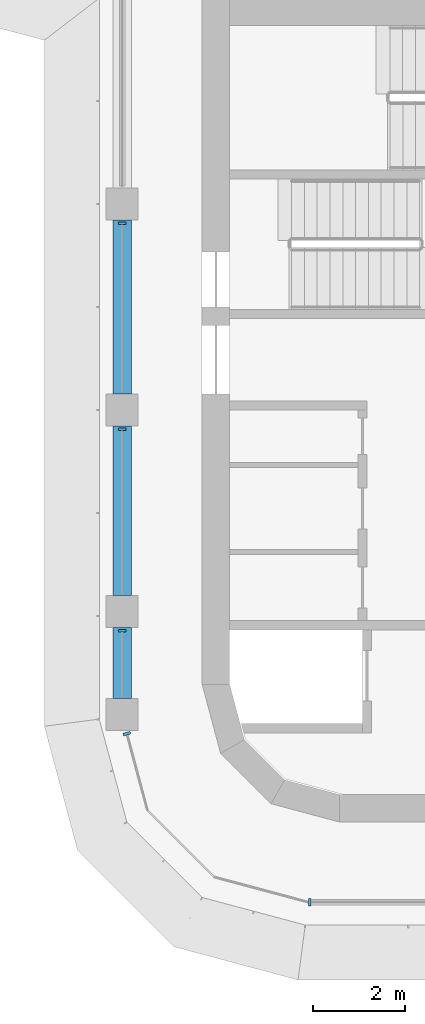
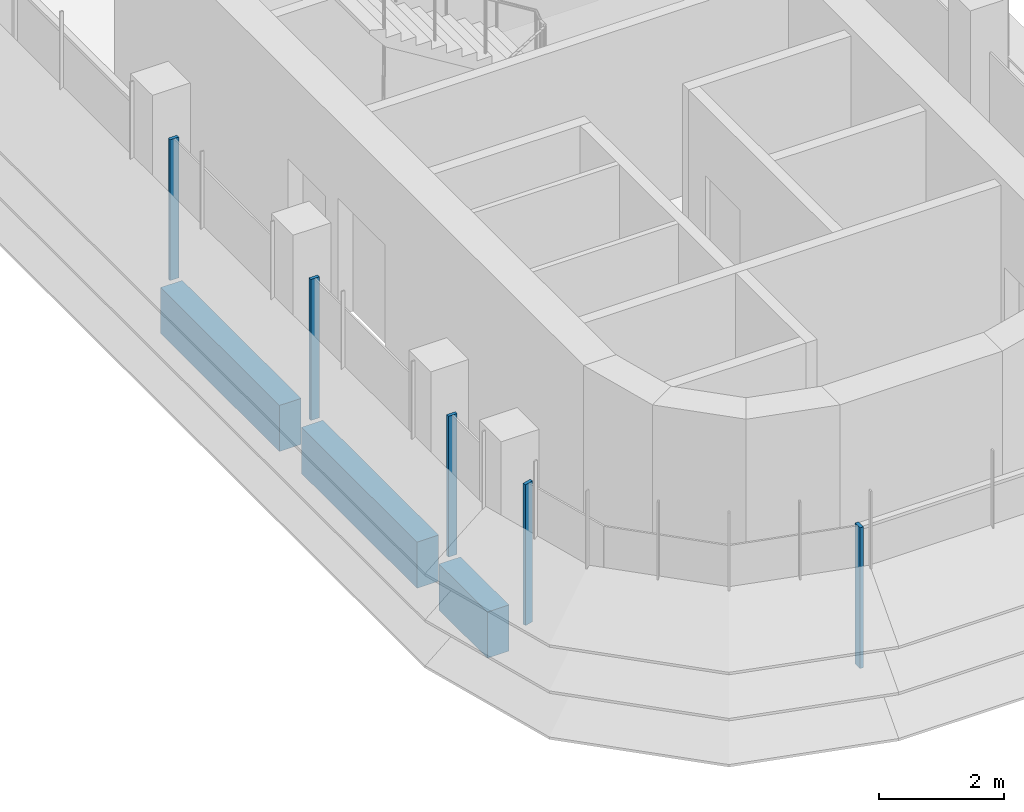
# One storey, part 2 of 19: 5 members, 3 beams, 3 elements without a shape of their own.
"""IFC4 building model written with IfcOpenShell, lengths in metres."""

import ifcopenshell
import ifcopenshell.guid

model = None  # the IFC model being written
_history = None  # IfcOwnerHistory: only IFC2X3 demands one
_inside = {}  # id of a spatial element -> (the spatial element, [elements in it])
_under = {}  # id of a project, library or spatial element -> (it, [spatial elements below it])
_declared = {}  # id of a project -> (the project, [libraries it declares])
_typed = {}  # id of a type object -> (the type object, [elements of that type])
_made_of = {}  # id of a material, layer set ... -> (it, [elements and type objects made of it])


def new_model(schema):
    """Start an empty IFC model of exactly this schema.

    Asked for "IFC4X3", IfcOpenShell would pick the latest addendum, in which some entities
    have other attributes; the version numbers below select the first issue.
    IFC2X3 requires an IfcOwnerHistory on every rooted entity: one is made here for all.
    """
    global model, _history
    if schema == "IFC4X3":
        model = ifcopenshell.file(schema_version=(4, 3, 0, 0))
    else:
        model = ifcopenshell.file(schema=schema)
    _inside.clear()
    _under.clear()
    _declared.clear()
    _typed.clear()
    _made_of.clear()
    _history = None
    if model.schema == "IFC2X3":
        org = make("IfcOrganization", Name="unknown")
        user = make(
            "IfcPersonAndOrganization",
            ThePerson=make("IfcPerson", FamilyName="unknown"),
            TheOrganization=org,
        )
        app = make(
            "IfcApplication",
            ApplicationDeveloper=org,
            Version="unknown",
            ApplicationFullName="unknown",
            ApplicationIdentifier="unknown",
        )
        _history = make(
            "IfcOwnerHistory",
            OwningUser=user,
            OwningApplication=app,
            ChangeAction="ADDED",
            CreationDate=0,
        )
    return model


def make(cls, **values):
    """One entity of the class cls with the attributes given. An attribute that is None is left unset."""
    return model.create_entity(
        cls, **{name: value for name, value in values.items() if value is not None}
    )


def rooted(cls, **values):
    """An entity with a GlobalId (a new one), such as an element, a storey or a relation."""
    return make(cls, GlobalId=ifcopenshell.guid.new(), OwnerHistory=_history, **values)


def si_unit(unit_type, name, prefix=None):
    """IfcSIUnit, for example si_unit("LENGTHUNIT", "METRE", prefix="MILLI")."""
    return make("IfcSIUnit", UnitType=unit_type, Prefix=prefix, Name=name)


def assignment(units):
    """IfcUnitAssignment: the units of a project."""
    return None if units is None else make("IfcUnitAssignment", Units=units)


def point(xyz):
    """IfcCartesianPoint."""
    return None if xyz is None else make("IfcCartesianPoint", Coordinates=xyz)


def direction(xyz):
    """IfcDirection."""
    return None if xyz is None else make("IfcDirection", DirectionRatios=xyz)


def frame(location, z_axis=None, x_axis=None):
    """IfcAxis2Placement3D, a coordinate frame: its origin and axes. An axis left out is left unset."""
    return make(
        "IfcAxis2Placement3D",
        Location=point(location),
        Axis=direction(z_axis),
        RefDirection=direction(x_axis),
    )


def frame_2d(location, x_axis=None):
    """IfcAxis2Placement2D, a coordinate frame in the plane: its origin and x axis."""
    return make(
        "IfcAxis2Placement2D", Location=point(location), RefDirection=direction(x_axis)
    )


def origin():
    """The frame at (0, 0, 0) with its axes left unset."""
    return frame((0.0, 0.0, 0.0))


def origin_2d():
    """The frame at (0, 0) in the plane with its x axis left unset."""
    return frame_2d((0.0, 0.0))


def place(relative_to, where):
    """IfcLocalPlacement: puts the frame where relative to a parent placement (None: the world)."""
    return make(
        "IfcLocalPlacement", PlacementRelTo=relative_to, RelativePlacement=where
    )


def context(
    kind, dimensions, precision=None, world=None, true_north=None, identifier=None
):
    """IfcGeometricRepresentationContext, for example the 3D "Model" context."""
    return make(
        "IfcGeometricRepresentationContext",
        ContextIdentifier=identifier,
        ContextType=kind,
        CoordinateSpaceDimension=dimensions,
        Precision=precision,
        WorldCoordinateSystem=world,
        TrueNorth=true_north,
    )


def subcontext(parent, identifier, kind, view, scale=None):
    """IfcGeometricRepresentationSubContext, for example "Body" below "Model"."""
    return make(
        "IfcGeometricRepresentationSubContext",
        ContextIdentifier=identifier,
        ContextType=kind,
        ParentContext=parent,
        TargetScale=scale,
        TargetView=view,
    )


def project(units=None, contexts=None):
    """IfcProject with its units and contexts."""
    return rooted(
        "IfcProject",
        Name="project",
        RepresentationContexts=contexts,
        UnitsInContext=assignment(units),
    )


def spatial(cls, under=None, at=None, **own):
    """A site, building, storey or space (cls), placed at a placement, below another one or the project."""
    s = rooted(cls, ObjectPlacement=at, **own)
    if under is not None:
        _under.setdefault(under.id(), (under, []))[1].append(s)
    return s


def polyline(points):
    """IfcPolyline through the points."""
    return make("IfcPolyline", Points=[point(p) for p in points])


def profile(cls, at=None, kind="AREA", **sizes):
    """A parametric profile (cls). Its sizes go by their IFC names, for example OverallWidth=200.0."""
    return make(cls, ProfileType=kind, Position=at, **sizes)


def rectangle(**sizes):
    """IfcRectangleProfileDef."""
    return profile("IfcRectangleProfileDef", **sizes)


def outline(outer, holes=None, kind="AREA"):
    """IfcArbitraryClosedProfileDef: a profile drawn as a closed curve; with holes, ...WithVoids."""
    if holes is None:
        return make("IfcArbitraryClosedProfileDef", ProfileType=kind, OuterCurve=outer)
    return make(
        "IfcArbitraryProfileDefWithVoids",
        ProfileType=kind,
        OuterCurve=outer,
        InnerCurves=holes,
    )


def extrude(swept, where, along, depth):
    """IfcExtrudedAreaSolid: the profile swept, set in the frame where, extruded along a direction by depth."""
    return make(
        "IfcExtrudedAreaSolid",
        SweptArea=swept,
        Position=where,
        ExtrudedDirection=direction(along),
        Depth=depth,
    )


def shape(context_of_items, identifier, shape_type, items):
    """IfcShapeRepresentation: the items that make up one representation, for example the "Body"."""
    return make(
        "IfcShapeRepresentation",
        ContextOfItems=context_of_items,
        RepresentationIdentifier=identifier,
        RepresentationType=shape_type,
        Items=items,
    )


def source(mapping_origin, context_of_items, identifier, shape_type, items):
    """IfcRepresentationMap: a shape defined once, which mapped items show again and again."""
    return make(
        "IfcRepresentationMap",
        MappingOrigin=mapping_origin,
        MappedRepresentation=shape(context_of_items, identifier, shape_type, items),
    )


def transform(
    local_origin,
    x_axis=None,
    y_axis=None,
    z_axis=None,
    scale=None,
    scale2=None,
    scale3=None,
    uniform=True,
):
    """IfcCartesianTransformationOperator3D, or its non-uniform kind. x_axis, y_axis, z_axis: its Axis1, 2, 3."""
    if uniform:
        return make(
            "IfcCartesianTransformationOperator3D",
            Axis1=direction(x_axis),
            Axis2=direction(y_axis),
            LocalOrigin=point(local_origin),
            Scale=scale,
            Axis3=direction(z_axis),
        )
    return make(
        "IfcCartesianTransformationOperator3DnonUniform",
        Axis1=direction(x_axis),
        Axis2=direction(y_axis),
        LocalOrigin=point(local_origin),
        Scale=scale,
        Axis3=direction(z_axis),
        Scale2=scale2,
        Scale3=scale3,
    )


def mapped(mapping_source, mapping_target):
    """IfcMappedItem: shows the shape of a source again, moved by a transform."""
    return make(
        "IfcMappedItem", MappingSource=mapping_source, MappingTarget=mapping_target
    )


def material(Name=None, Category=None):
    """IfcMaterial."""
    return make("IfcMaterial", Name=Name, Category=Category)


def material_profile(
    of_material, cross_section, Name=None, Category=None, Priority=None
):
    """IfcMaterialProfile: a cross section and its material."""
    return make(
        "IfcMaterialProfile",
        Name=Name,
        Material=of_material,
        Profile=cross_section,
        Priority=Priority,
        Category=Category,
    )


def profile_set(profiles, Name=None, composite=None):
    """IfcMaterialProfileSet."""
    return make(
        "IfcMaterialProfileSet",
        Name=Name,
        MaterialProfiles=profiles,
        CompositeProfile=composite,
    )


def made_of(thing, what):
    """Note that an element or type object is made of a material, layer set ...; save() writes the relation."""
    if what is not None:
        _made_of.setdefault(what.id(), (what, []))[1].append(thing)
    return thing


def type_object(cls, material=None, **own):
    """A type object (cls), such as IfcWallType, which elements share."""
    return made_of(rooted(cls, **own), material)


def element(
    cls,
    number,
    at=None,
    inside=None,
    cuts=None,
    type_object=None,
    material=None,
    context=None,
    identifier="Body",
    shape_type=None,
    held_by="IfcProductDefinitionShape",
    body=None,
    shapes=None,
    **own,
):
    """One element of the class cls, such as IfcWall. Its Tag is "e" and its number.

    at: its placement. inside: the storey or other place that contains it. cuts: it is an
    opening in that element (IfcRelVoidsElement). A single representation is given by context,
    identifier, shape_type and body (its items); several are given by shapes. held_by: the class
    of the entity that holds the representations. save() writes the other relations.
    """
    e = rooted(cls, Tag="e%d" % number, ObjectPlacement=at, **own)
    if body is not None:
        shapes = [shape(context, identifier, shape_type, body)]
    if shapes is not None:
        e.Representation = make(held_by, Representations=shapes)
    if inside is not None:
        _inside.setdefault(inside.id(), (inside, []))[1].append(e)
    if cuts is not None:
        rooted(
            "IfcRelVoidsElement", RelatingBuildingElement=cuts, RelatedOpeningElement=e
        )
    if type_object is not None:
        _typed.setdefault(type_object.id(), (type_object, []))[1].append(e)
    return made_of(e, material)


def aggregate(whole, parts):
    """IfcRelAggregates: a whole, such as a stair, and the parts it consists of."""
    return rooted("IfcRelAggregates", RelatingObject=whole, RelatedObjects=parts)


def save(model, path):
    """Write the relations noted so far, then the file.

    IfcRelAggregates (storeys below a building ...), IfcRelContainedInSpatialStructure (elements
    in a storey), IfcRelDefinesByType, IfcRelAssociatesMaterial and IfcRelDeclares: one each for
    every whole, place, type object, material and project.
    """
    for whole, parts in _under.values():
        aggregate(whole, parts)
    for where, things in _inside.values():
        rooted(
            "IfcRelContainedInSpatialStructure",
            RelatedElements=things,
            RelatingStructure=where,
        )
    for kind, things in _typed.values():
        rooted("IfcRelDefinesByType", RelatedObjects=things, RelatingType=kind)
    for what, things in _made_of.values():
        rooted("IfcRelAssociatesMaterial", RelatedObjects=things, RelatingMaterial=what)
    for by, libraries in _declared.values():
        rooted("IfcRelDeclares", RelatingContext=by, RelatedDefinitions=libraries)
    model.write(path)


model = new_model("IFC4")

# Units and contexts
model_context = context("Model", 3, precision=1e-05, world=origin(), true_north=direction((0.0, 1.0)))
body_context = subcontext(model_context, "Body", "Model", "MODEL_VIEW")
ifc_project = project(units=[si_unit("LENGTHUNIT", "METRE"), si_unit("AREAUNIT", "SQUARE_METRE"), si_unit("VOLUMEUNIT", "CUBIC_METRE"), si_unit("PLANEANGLEUNIT", "RADIAN"), si_unit("MASSUNIT", "GRAM", prefix="KILO")], contexts=[model_context])

# Site, building, storey
site_placement = place(None, origin())
site = spatial("IfcSite", under=ifc_project, at=site_placement, CompositionType="ELEMENT")
building_placement = place(site_placement, origin())
building = spatial("IfcBuilding", under=site, at=building_placement, Name="Zarbagh Exchange Tower", CompositionType="ELEMENT")
storey_placement = place(building_placement, frame((0.0, 0.0, 233.39990234375)))
storey = spatial("IfcBuildingStorey", under=building, at=storey_placement, Name="L57", CompositionType="ELEMENT", Elevation=233.39990234375)

# Beams
ifc_material_1 = material(Name="Concrete C50/60", Category="concrete")
ifc_material_profile = material_profile(ifc_material_1, rectangle(XDim=0.39990234375, YDim=0.89990234375, at=origin_2d()), Name="RC spandrel beam 400 x 900 C50/60")
ifc_profile_set = profile_set([ifc_material_profile], Name="Concrete C50/60")
beam_type = type_object("IfcBeamType", Name="RC spandrel beam 400 x 900 C50/60", PredefinedType="SPANDREL", material=ifc_profile_set)
beam_1_placement = place(storey_placement, frame((-6.25, -26.550048828125, -0.599853515625), z_axis=(0.0, 1.0, 0.0), x_axis=(-1.0, 0.0, 0.0)))
element("IfcBeam", 1, at=beam_1_placement, inside=storey, type_object=beam_type, Name="RC spandrel beam", PredefinedType="SPANDREL", context=body_context, shape_type="SweptSolid", body=[
    extrude(rectangle(XDim=0.39990234375, YDim=0.89990234375, at=origin_2d()), origin(), (0.0, 0.0, 1.0), 1.550048828125),
])
beam_2_placement = place(storey_placement, frame((-6.25, -24.300048828125, -0.599853515625), z_axis=(0.0, 1.0, 0.0), x_axis=(-1.0, 0.0, 0.0)))
element("IfcBeam", 2, at=beam_2_placement, inside=storey, type_object=beam_type, Name="RC spandrel beam", PredefinedType="SPANDREL", context=body_context, shape_type="SweptSolid", body=[
    extrude(rectangle(XDim=0.39990234375, YDim=0.89990234375, at=origin_2d()), origin(), (0.0, 0.0, 1.0), 3.699951171875),
])
beam_3_placement = place(storey_placement, frame((-6.25, -19.89990234375, -0.599853515625), z_axis=(0.0, 1.0, 0.0), x_axis=(-1.0, 0.0, 0.0)))
element("IfcBeam", 3, at=beam_3_placement, inside=storey, type_object=beam_type, Name="RC spandrel beam", PredefinedType="SPANDREL", context=body_context, shape_type="SweptSolid", body=[
    extrude(rectangle(XDim=0.39990234375, YDim=0.89990234375, at=origin_2d()), origin(), (0.0, 0.0, 1.0), 3.7998046875),
])

# Curtain wall, members
ifc_material_2 = material(Name="Anodised aluminium frame and glazing", Category="aluminium")
curtain_wall_type = type_object("IfcCurtainWallType", Name="CWB Ribbon glazing, upper zones", PredefinedType="NOTDEFINED", material=ifc_material_2)
curtain_wall_1_placement = place(storey_placement, origin())
curtain_wall_1 = element("IfcCurtainWall", 4, at=curtain_wall_1_placement, inside=storey, type_object=curtain_wall_type, Name="CWB53 curtain wall", PredefinedType="NOTDEFINED")
ifc_material_3 = material(Name="Anodised aluminium frame", Category="aluminium")
member_type = type_object("IfcMemberType", Name="MUB Mullion, anodised aluminium frame", PredefinedType="MULLION", material=ifc_material_3)
shared_shape = source(origin(), body_context, "Body", "SweptSolid", [
    extrude(outline(polyline([(0.0, -0.080078125), (0.06005859375, -0.080078125), (0.06005859375, 0.080078125), (0.0, 0.080078125), (0.0, -0.080078125)])), origin(), (0.0, 0.0, 1.0), 2.75),
])
placement = place(storey_placement, origin())
member_1 = element("IfcMember", 5, at=placement, type_object=member_type, Name="CWB53 mullion 2.1", PredefinedType="MULLION", context=body_context, shape_type="MappedRepresentation", body=[
    mapped(shared_shape, transform((-6.25, -16.14013671875, 0.0), x_axis=(0.0, -1.0, 0.0), y_axis=(1.0, 0.0, 0.0), z_axis=(0.0, 0.0, 1.0))),
])
member_2 = element("IfcMember", 6, at=placement, type_object=member_type, Name="CWB53 mullion 3.1", PredefinedType="MULLION", context=body_context, shape_type="MappedRepresentation", body=[
    mapped(shared_shape, transform((-6.25, -20.64013671875, 0.0), x_axis=(0.0, -1.0, 0.0), y_axis=(1.0, 0.0, 0.0), z_axis=(0.0, 0.0, 1.0))),
])
member_3 = element("IfcMember", 7, at=placement, type_object=member_type, Name="CWB53 mullion 4.1", PredefinedType="MULLION", context=body_context, shape_type="MappedRepresentation", body=[
    mapped(shared_shape, transform((-6.25, -25.0400390625, 0.0), x_axis=(0.0, -1.0, 0.0), y_axis=(1.0, 0.0, 0.0), z_axis=(0.0, 0.0, 1.0))),
])
aggregate(curtain_wall_1, [member_1, member_2, member_3])

# Curtain wall, member
curtain_wall_2_placement = place(storey_placement, origin())
curtain_wall_2 = element("IfcCurtainWall", 8, at=curtain_wall_2_placement, inside=storey, type_object=curtain_wall_type, Name="CWB54 curtain wall", PredefinedType="NOTDEFINED")
member_4 = element("IfcMember", 9, at=placement, type_object=member_type, Name="CWB54 mullion 1.1", PredefinedType="MULLION", context=body_context, shape_type="MappedRepresentation", body=[
    mapped(shared_shape, transform((-6.154541015625, -27.2900390625, 0.0), x_axis=(0.258824779902, -0.965924289636, 0.0), y_axis=(0.965924289636, 0.258824779902, 0.0), z_axis=(0.0, 0.0, 1.0))),
])
aggregate(curtain_wall_2, [member_4])

curtain_wall_3_placement = place(storey_placement, origin())
curtain_wall_3 = element("IfcCurtainWall", 10, at=curtain_wall_3_placement, inside=storey, type_object=curtain_wall_type, Name="CWB57 curtain wall", PredefinedType="NOTDEFINED")
member_5 = element("IfcMember", 11, at=placement, type_object=member_type, Name="CWB57 mullion 1.1", PredefinedType="MULLION", context=body_context, shape_type="MappedRepresentation", body=[
    mapped(shared_shape, transform((-2.18408203125, -31.0, 0.0), x_axis=(1.0, 0.0, 0.0), y_axis=(0.0, 1.0, 0.0), z_axis=(0.0, 0.0, 1.0))),
])
aggregate(curtain_wall_3, [member_5])

save(model, "model.ifc")
